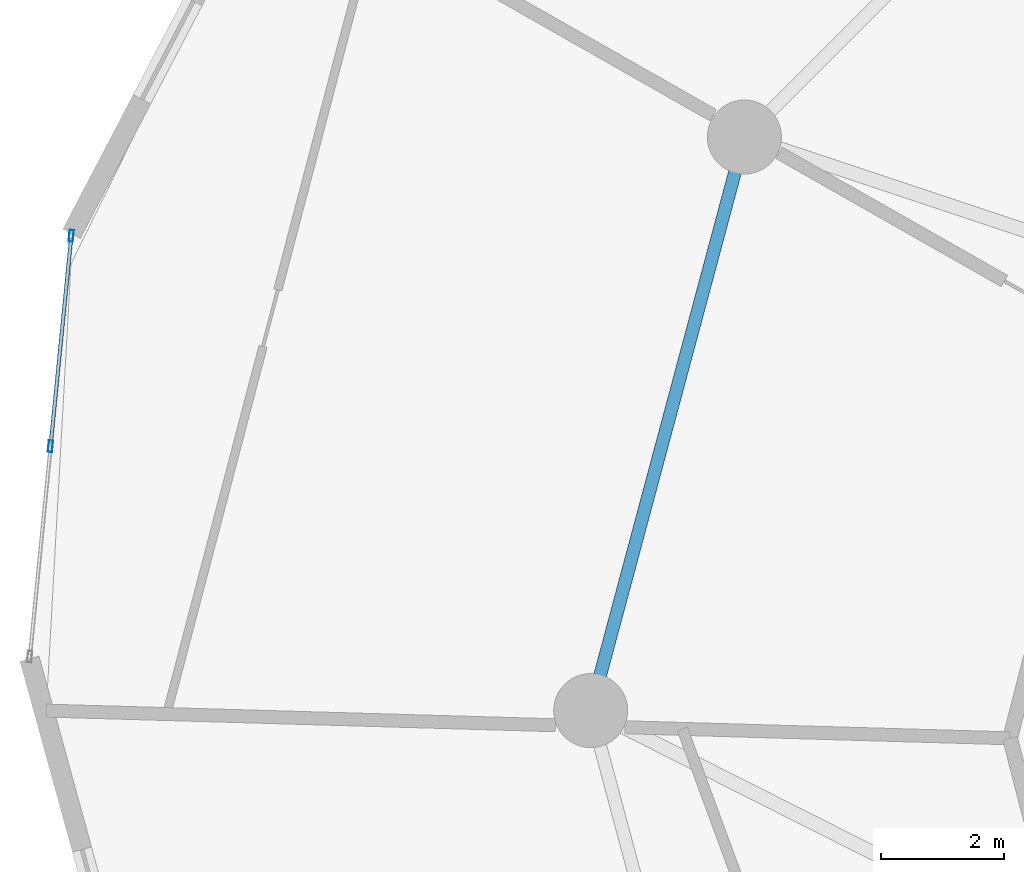
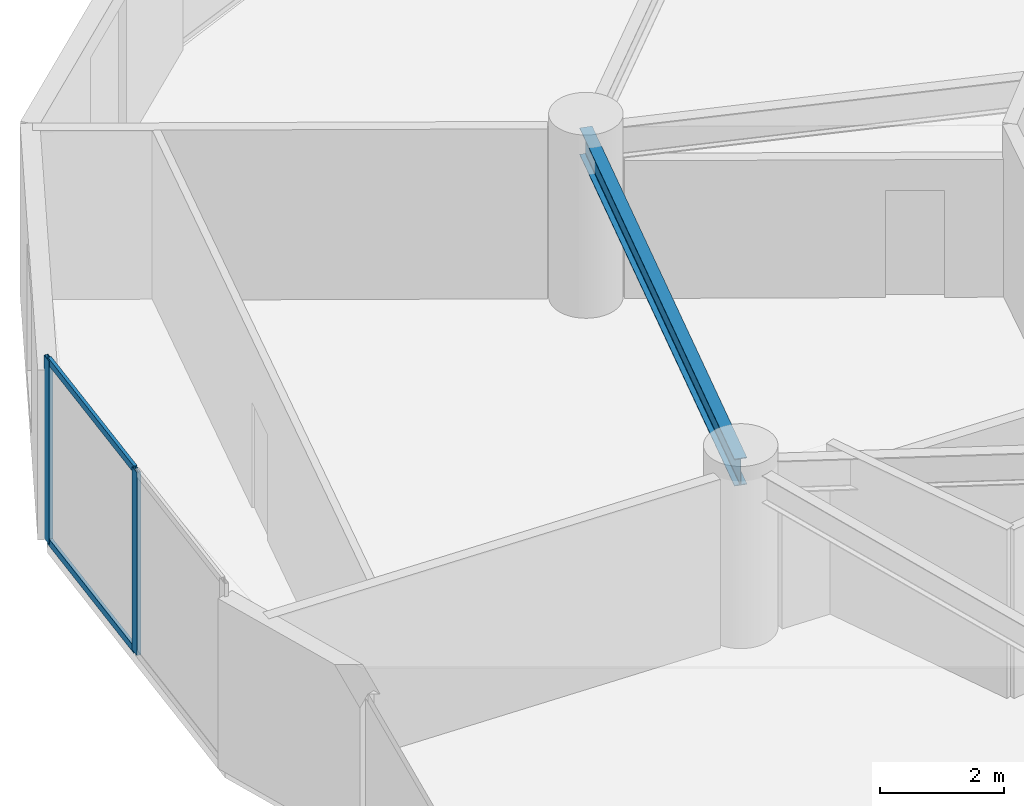
# One storey, part 7 of 26: 4 members, 1 beam, 1 element without a shape of its own.
"""IFC4 building model written with IfcOpenShell, lengths in metres."""

from ifc_helpers import new_model, si_unit, direction, frame, origin, origin_2d, place, context, subcontext, project, spatial, hollow_rectangle, i_section, extrude, source, transform, mapped, material, layer, layer_set, material_profile, profile_set, type_object, element, aggregate, save


model = new_model("IFC4")

# Units and contexts
model_context = context("Model", 3, precision=1e-05, world=origin(), true_north=direction((0.0, 1.0)))
body_context = subcontext(model_context, "Body", "Model", "MODEL_VIEW")
ifc_project = project(units=[si_unit("LENGTHUNIT", "METRE"), si_unit("AREAUNIT", "SQUARE_METRE"), si_unit("VOLUMEUNIT", "CUBIC_METRE"), si_unit("PLANEANGLEUNIT", "RADIAN"), si_unit("MASSUNIT", "GRAM", prefix="KILO")], contexts=[model_context])

# Site, building, storey
site_placement = place(None, origin())
site = spatial("IfcSite", under=ifc_project, at=site_placement, CompositionType="ELEMENT")
building_placement = place(site_placement, origin())
building = spatial("IfcBuilding", under=site, at=building_placement, Name="Solvirekh Grand Hotel", CompositionType="ELEMENT")
storey_placement = place(building_placement, frame((0.0, 0.0, 64.39990234375)))
storey = spatial("IfcBuildingStorey", under=building, at=storey_placement, Name="L15", CompositionType="ELEMENT", Elevation=64.39990234375)

# Beam
ifc_material_1 = material(Name="Steel S355", Category="steel")
ifc_material_profile_1 = material_profile(ifc_material_1, i_section(OverallWidth=0.208984375, OverallDepth=0.532958984375, WebThickness=0.010009765625, FlangeThickness=0.014892578125, FilletRadius=0.013916015625, at=origin_2d()), Name="W530X92")
ifc_profile_set_1 = profile_set([ifc_material_profile_1], Name="Steel S355")
beam_type = type_object("IfcBeamType", Name="Spandrel_Ring_W530", PredefinedType="SPANDREL", material=ifc_profile_set_1)
beam_placement = place(storey_placement, frame((-16.10791015625, 9.300048828125, 3.07421875), z_axis=(-0.258842973314, -0.965919414426, 0.0), x_axis=(0.965919414426, -0.258842973314, 0.0)))
element("IfcBeam", 1, at=beam_placement, inside=storey, type_object=beam_type, Name="L15 perimeter spandrel beam 6", PredefinedType="SPANDREL", context=body_context, shape_type="SweptSolid", body=[
    extrude(i_section(OverallWidth=0.208984375, OverallDepth=0.532958984375, WebThickness=0.010009765625, FlangeThickness=0.014892578125, FilletRadius=0.013916015625, at=origin_2d()), origin(), (0.0, 0.0, 1.0), 9.628173828125),
])

# Curtain wall, members
ifc_material_2 = material(Name="Anodized Bronze Aluminium 6063-T6", Category="aluminium")
ifc_layer = layer(ifc_material_2, 0.18994140625)
ifc_layer_set = layer_set([ifc_layer], Name="Anodized Bronze Aluminium 6063-T6")
curtain_wall_type = type_object("IfcCurtainWallType", Name="CW_Sys2_LowZoneFlushBronzeCW", PredefinedType="NOTDEFINED", material=ifc_layer_set)
curtain_wall_placement = place(storey_placement, origin())
curtain_wall = element("IfcCurtainWall", 2, at=curtain_wall_placement, inside=storey, type_object=curtain_wall_type, Name="L15 unitised bronze-glass curtain wall CW-L15-C11", PredefinedType="NOTDEFINED")
ifc_material_profile_2 = material_profile(ifc_material_2, hollow_rectangle(XDim=0.070068359375, YDim=0.18994140625, WallThickness=0.0048828125, at=origin_2d()), Name="ALU RHS 190X70X5")
ifc_profile_set_2 = profile_set([ifc_material_profile_2], Name="Anodized Bronze Aluminium 6063-T6")
member_type_1 = type_object("IfcMemberType", Name="CWMullion_Sys2", PredefinedType="MULLION", material=ifc_profile_set_2)
shared_shape_1 = source(origin(), body_context, "Body", "SweptSolid", [
    extrude(hollow_rectangle(XDim=0.070068359375, YDim=0.18994140625, WallThickness=0.0048828125, at=origin_2d()), origin(), (0.0, 0.0, 1.0), 3.60009765625),
])
member_1_placement = place(storey_placement, frame((-27.0224609375, 7.697265625, 0.0), z_axis=(0.0, 0.0, 1.0), x_axis=(0.995153729271, -0.098331353685, 0.0)))
member_1 = element("IfcMember", 3, at=member_1_placement, type_object=member_type_1, Name="U02 mullion 1", PredefinedType="MULLION", context=body_context, shape_type="MappedRepresentation", body=[
    mapped(shared_shape_1, transform((0.0, 0.0, 0.0), x_axis=(1.0, 0.0, 0.0), y_axis=(0.0, 1.0, 0.0), z_axis=(0.0, 0.0, 1.0), scale=1.0)),
])
member_2_placement = place(storey_placement, frame((-27.359619140625, 4.285888671875, 0.0), z_axis=(0.0, 0.0, 1.0), x_axis=(0.995153729271, -0.098331353685, 0.0)))
member_2 = element("IfcMember", 4, at=member_2_placement, type_object=member_type_1, Name="U02 mullion 2", PredefinedType="MULLION", context=body_context, shape_type="MappedRepresentation", body=[
    mapped(shared_shape_1, transform((0.0, 0.0, 0.0), x_axis=(1.0, 0.0, 0.0), y_axis=(0.0, 1.0, 0.0), z_axis=(0.0, 0.0, 1.0), scale=1.0)),
])
ifc_material_profile_3 = material_profile(ifc_material_2, hollow_rectangle(XDim=0.06005859375, YDim=0.135009765625, WallThickness=0.00390625, at=origin_2d()), Name="ALU RHS 135X60X4")
ifc_profile_set_3 = profile_set([ifc_material_profile_3], Name="Anodized Bronze Aluminium 6063-T6")
member_type_2 = type_object("IfcMemberType", Name="CWTransom_Sys2", PredefinedType="USERDEFINED", material=ifc_profile_set_3)
shared_shape_2 = source(origin(), body_context, "Body", "SweptSolid", [
    extrude(hollow_rectangle(XDim=0.06005859375, YDim=0.135009765625, WallThickness=0.00390625, at=origin_2d()), origin(), (0.0, 0.0, 1.0), 3.35791015625),
])
member_3_placement = place(storey_placement, frame((-27.02587890625, 7.662353515625, 0.030029296875), z_axis=(-0.098301442047, -0.995156684393, 0.0), x_axis=(0.995156684393, -0.098301442047, 0.0)))
member_3 = element("IfcMember", 5, at=member_3_placement, type_object=member_type_2, Name="U02 transom 1.1", ObjectType="TRANSOM", PredefinedType="USERDEFINED", context=body_context, shape_type="MappedRepresentation", body=[
    mapped(shared_shape_2, transform((0.0, 0.0, 0.0), x_axis=(1.0, 0.0, 0.0), y_axis=(0.0, 1.0, 0.0), z_axis=(0.0, 0.0, 1.0), scale=1.0)),
])
member_4_placement = place(storey_placement, frame((-27.02587890625, 7.662353515625, 3.570068359375), z_axis=(-0.098301442047, -0.995156684393, 0.0), x_axis=(0.995156684393, -0.098301442047, 0.0)))
member_4 = element("IfcMember", 6, at=member_4_placement, type_object=member_type_2, Name="U02 transom 1.2", ObjectType="TRANSOM", PredefinedType="USERDEFINED", context=body_context, shape_type="MappedRepresentation", body=[
    mapped(shared_shape_2, transform((0.0, 0.0, 0.0), x_axis=(1.0, 0.0, 0.0), y_axis=(0.0, 1.0, 0.0), z_axis=(0.0, 0.0, 1.0), scale=1.0)),
])
aggregate(curtain_wall, [member_1, member_2, member_3, member_4])

save(model, "model.ifc")
